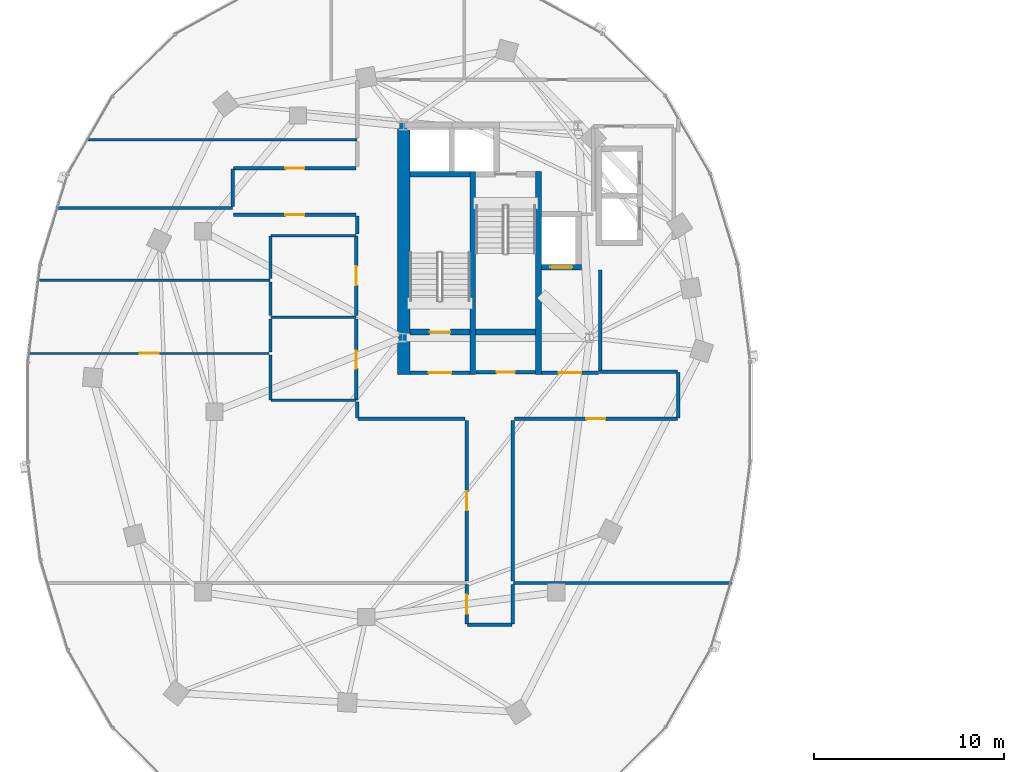
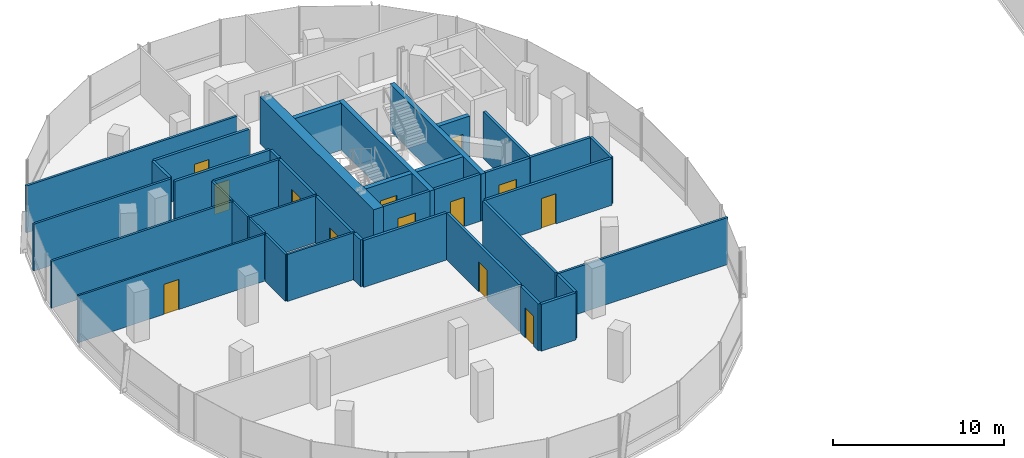
# One storey, part 12 of 22: 39 walls, 13 doors, 13 openings.
"""IFC4 building model written with IfcOpenShell, lengths in metres."""

from ifc_helpers import new_model, si_unit, direction, frame, frame_2d, origin, place, context, subcontext, project, spatial, rectangle, extrude, material, layer, layer_set, type_object, element, fill, save


model = new_model("IFC4")

# Units and contexts
model_context = context("Model", 3, precision=1e-05, world=origin(), true_north=direction((0.0, 1.0)))
body_context = subcontext(model_context, "Body", "Model", "MODEL_VIEW")
ifc_project = project(units=[si_unit("LENGTHUNIT", "METRE"), si_unit("AREAUNIT", "SQUARE_METRE"), si_unit("VOLUMEUNIT", "CUBIC_METRE"), si_unit("PLANEANGLEUNIT", "RADIAN"), si_unit("MASSUNIT", "GRAM", prefix="KILO"), si_unit("THERMODYNAMICTEMPERATUREUNIT", "KELVIN"), si_unit("POWERUNIT", "WATT")], contexts=[model_context])

# Site, building, storey
site_placement = place(None, origin())
site = spatial("IfcSite", under=ifc_project, at=site_placement, CompositionType="ELEMENT")
building_placement = place(site_placement, origin())
building = spatial("IfcBuilding", under=site, at=building_placement, Name="Cundina Bronze Exchange", CompositionType="ELEMENT")
storey_placement = place(building_placement, frame((0.0, 0.0, 154.800048828125)))
storey = spatial("IfcBuildingStorey", under=building, at=storey_placement, Name="L40", CompositionType="ELEMENT", Elevation=154.800048828125)

# Wall
ifc_material_1 = material(Name="Gypsum Fireboard Partition EI120")
ifc_layer_1 = layer(ifc_material_1, 0.179931640625, Name="Gypsum Fireboard Partition EI120")
ifc_layer_set_1 = layer_set([ifc_layer_1], Name="Gypsum Fireboard Partition EI120")
wall_type_1 = type_object("IfcWallType", Name="WL-COR-180", PredefinedType="PARTITIONING", material=ifc_layer_set_1)
wall_1_placement = place(storey_placement, frame((-20.889892578125, 2.14990234375, 0.0), z_axis=(0.0, 0.0, 1.0), x_axis=(0.0, 1.0, 0.0)))
element("IfcWall", 1, at=wall_1_placement, inside=storey, type_object=wall_type_1, Name="L40 W Firefighting Lobby Side Wall", PredefinedType="PARTITIONING", context=body_context, shape_type="SweptSolid", body=[
    extrude(rectangle(XDim=5.300048828125, YDim=0.179931640625, at=frame_2d((2.64990234375, 0.0))), origin(), (0.0, 0.0, 1.0), 3.35986328125),
])

# Wall, opening, door
wall_2_placement = place(storey_placement, frame((-23.97998046875, 2.06005859375, 0.0), z_axis=(0.0, 0.0, 1.0), x_axis=(1.0, 0.0, 0.0)))
wall_2 = element("IfcWall", 2, at=wall_2_placement, inside=storey, type_object=wall_type_1, Name="L40 W Firefighting Lobby Exit Wall", PredefinedType="PARTITIONING", context=body_context, shape_type="SweptSolid", body=[
    extrude(rectangle(XDim=3.0, YDim=0.179931640625, at=frame_2d((1.5, 0.0))), origin(), (0.0, 0.0, 1.0), 3.35986328125),
])
opening_1_placement = place(wall_2_placement, frame((0.89990234375, 0.0, 0.0)))
opening_1 = element("IfcOpeningElement", 3, at=opening_1_placement, cuts=wall_2, Name="Opening DF-01", PredefinedType="OPENING", context=body_context, shape_type="SweptSolid", body=[
    extrude(rectangle(XDim=1.199951171875, YDim=2.14990234375, at=frame_2d((0.60009765625, 1.074951171875))), frame((0.0, 0.099853515625, 0.0), z_axis=(0.0, -1.0, 0.0), x_axis=(1.0, 0.0, 0.0)), (0.0, 0.0, 1.0), 0.199951171875),
])
ifc_material_2 = material(Name="Steel ASTM A36 Painted", Category="steel")
door_type_1 = type_object("IfcDoorType", Name="DR-FFL-1200", OperationType="NOTDEFINED", PredefinedType="DOOR", material=ifc_material_2)
door_1_placement = place(opening_1_placement, origin())
door_1 = element("IfcDoor", 4, at=door_1_placement, inside=storey, type_object=door_type_1, Name="L40 W Firefighting Lobby Door", OperationType="SINGLE_SWING_RIGHT", OverallHeight=2.14990234375, OverallWidth=1.199951171875, PredefinedType="DOOR", context=body_context, shape_type="SweptSolid", body=[
    extrude(rectangle(XDim=1.199951171875, YDim=2.14990234375, at=frame_2d((0.60009765625, 1.074951171875))), frame((0.0, 0.02490234375, 0.0), z_axis=(0.0, -1.0, 0.0), x_axis=(1.0, 0.0, 0.0)), (0.0, 0.0, 1.0), 0.050048828125),
])
fill(opening_1, door_1)

wall_3_placement = place(storey_placement, frame((-30.89990234375, 2.06005859375, 0.0), z_axis=(0.0, 0.0, 1.0), x_axis=(1.0, 0.0, 0.0)))
wall_3 = element("IfcWall", 5, at=wall_3_placement, inside=storey, type_object=wall_type_1, Name="L40 W Stair Vestibule Exit Wall", PredefinedType="PARTITIONING", context=body_context, shape_type="SweptSolid", body=[
    extrude(rectangle(XDim=3.159912109375, YDim=0.179931640625, at=frame_2d((1.580078125, 0.0))), origin(), (0.0, 0.0, 1.0), 3.35986328125),
])
opening_2_placement = place(wall_3_placement, frame((0.97998046875, 0.0, 0.0)))
opening_2 = element("IfcOpeningElement", 6, at=opening_2_placement, cuts=wall_3, Name="Opening DF-01", PredefinedType="OPENING", context=body_context, shape_type="SweptSolid", body=[
    extrude(rectangle(XDim=1.199951171875, YDim=2.14990234375, at=frame_2d((0.60009765625, 1.074951171875))), frame((0.0, 0.099853515625, 0.0), z_axis=(0.0, -1.0, 0.0), x_axis=(1.0, 0.0, 0.0)), (0.0, 0.0, 1.0), 0.199951171875),
])
door_2_placement = place(opening_2_placement, origin())
door_2 = element("IfcDoor", 7, at=door_2_placement, inside=storey, type_object=door_type_1, Name="L40 W Stair Vestibule Door", OperationType="SINGLE_SWING_LEFT", OverallHeight=2.14990234375, OverallWidth=1.199951171875, PredefinedType="DOOR", context=body_context, shape_type="SweptSolid", body=[
    extrude(rectangle(XDim=1.199951171875, YDim=2.14990234375, at=frame_2d((0.60009765625, 1.074951171875))), frame((0.0, 0.02490234375, 0.0), z_axis=(0.0, -1.0, 0.0), x_axis=(1.0, 0.0, 0.0)), (0.0, 0.0, 1.0), 0.050048828125),
])
fill(opening_2, door_2)

wall_4_placement = place(storey_placement, frame((-27.419921875, 2.070068359375, 0.0), z_axis=(0.0, 0.0, 1.0), x_axis=(1.0, 0.0, 0.0)))
wall_4 = element("IfcWall", 8, at=wall_4_placement, inside=storey, type_object=wall_type_1, Name="L40 Interior Partition 006", PredefinedType="PARTITIONING", context=body_context, shape_type="SweptSolid", body=[
    extrude(rectangle(XDim=3.119873046875, YDim=0.179931640625, at=frame_2d((1.56005859375, 0.0))), origin(), (0.0, 0.0, 1.0), 3.35986328125),
])
opening_3_placement = place(wall_4_placement, frame((1.0849609375, 0.0, 0.0)))
opening_3 = element("IfcOpeningElement", 9, at=opening_3_placement, cuts=wall_4, Name="Opening DW-01", PredefinedType="OPENING", context=body_context, shape_type="SweptSolid", body=[
    extrude(rectangle(XDim=0.949951171875, YDim=2.10009765625, at=frame_2d((0.47509765625, 1.050048828125))), frame((0.0, 0.099853515625, 0.0), z_axis=(0.0, -1.0, 0.0), x_axis=(1.0, 0.0, 0.0)), (0.0, 0.0, 1.0), 0.199951171875),
])
ifc_material_3 = material(Name="Solid Andean Oak Timber Grade A", Category="wood")
door_type_2 = type_object("IfcDoorType", Name="DR-WC-950", OperationType="NOTDEFINED", PredefinedType="DOOR", material=ifc_material_3)
door_3_placement = place(opening_3_placement, origin())
door_3 = element("IfcDoor", 10, at=door_3_placement, inside=storey, type_object=door_type_2, Name="L40 Interior Door 006", OperationType="SINGLE_SWING_LEFT", OverallHeight=2.10009765625, OverallWidth=0.949951171875, PredefinedType="DOOR", context=body_context, shape_type="SweptSolid", body=[
    extrude(rectangle(XDim=0.949951171875, YDim=2.10009765625, at=frame_2d((0.47509765625, 1.050048828125))), frame((0.0, 0.02490234375, 0.0), z_axis=(0.0, -1.0, 0.0), x_axis=(1.0, 0.0, 0.0)), (0.0, 0.0, 1.0), 0.050048828125),
])
fill(opening_3, door_3)

wall_5_placement = place(storey_placement, frame((-33.719970703125, 0.6201171875, 0.0), z_axis=(0.0, 0.0, 1.0), x_axis=(0.0, 1.0, 0.0)))
wall_5 = element("IfcWall", 11, at=wall_5_placement, inside=storey, type_object=wall_type_1, Name="L40 Interior Partition 014", PredefinedType="PARTITIONING", context=body_context, shape_type="SweptSolid", body=[
    extrude(rectangle(XDim=4.259765625, YDim=0.179931640625, at=frame_2d((2.1298828125, 0.0))), origin(), (0.0, 0.0, 1.0), 3.35986328125),
])
opening_4_placement = place(wall_5_placement, frame((1.655029296875, 0.0, 0.0)))
opening_4 = element("IfcOpeningElement", 12, at=opening_4_placement, cuts=wall_5, Name="Opening DW-01", PredefinedType="OPENING", context=body_context, shape_type="SweptSolid", body=[
    extrude(rectangle(XDim=0.949951171875, YDim=2.10009765625, at=frame_2d((0.47509765625, 1.050048828125))), frame((0.0, 0.099853515625, 0.0), z_axis=(0.0, -1.0, 0.0), x_axis=(1.0, 0.0, 0.0)), (0.0, 0.0, 1.0), 0.199951171875),
])
door_4_placement = place(opening_4_placement, origin())
door_4 = element("IfcDoor", 13, at=door_4_placement, inside=storey, type_object=door_type_2, Name="L40 Interior Door 014", OperationType="SINGLE_SWING_LEFT", OverallHeight=2.10009765625, OverallWidth=0.949951171875, PredefinedType="DOOR", context=body_context, shape_type="SweptSolid", body=[
    extrude(rectangle(XDim=0.949951171875, YDim=2.10009765625, at=frame_2d((0.47509765625, 1.050048828125))), frame((0.0, 0.02490234375, 0.0), z_axis=(0.0, -1.0, 0.0), x_axis=(1.0, 0.0, 0.0)), (0.0, 0.0, 1.0), 0.050048828125),
])
fill(opening_4, door_4)

wall_6_placement = place(storey_placement, frame((-33.719970703125, 5.080078125, 0.0), z_axis=(0.0, 0.0, 1.0), x_axis=(0.0, 1.0, 0.0)))
wall_6 = element("IfcWall", 14, at=wall_6_placement, inside=storey, type_object=wall_type_1, Name="L40 Interior Partition 015", PredefinedType="PARTITIONING", context=body_context, shape_type="SweptSolid", body=[
    extrude(rectangle(XDim=4.159912109375, YDim=0.179931640625, at=frame_2d((2.080078125, 0.0))), origin(), (0.0, 0.0, 1.0), 3.35986328125),
])
opening_5_placement = place(wall_6_placement, frame((1.580078125, 0.0, 0.0)))
opening_5 = element("IfcOpeningElement", 15, at=opening_5_placement, cuts=wall_6, Name="Opening DO-01", PredefinedType="OPENING", context=body_context, shape_type="SweptSolid", body=[
    extrude(rectangle(XDim=1.0, YDim=2.14990234375, at=frame_2d((0.5, 1.074951171875))), frame((0.0, 0.099853515625, 0.0), z_axis=(0.0, -1.0, 0.0), x_axis=(1.0, 0.0, 0.0)), (0.0, 0.0, 1.0), 0.199951171875),
])
door_type_3 = type_object("IfcDoorType", Name="DR-OFF-1000", OperationType="NOTDEFINED", PredefinedType="DOOR", material=ifc_material_3)
door_5_placement = place(opening_5_placement, origin())
door_5 = element("IfcDoor", 16, at=door_5_placement, inside=storey, type_object=door_type_3, Name="L40 Interior Door 015", OperationType="SINGLE_SWING_LEFT", OverallHeight=2.14990234375, OverallWidth=1.0, PredefinedType="DOOR", context=body_context, shape_type="SweptSolid", body=[
    extrude(rectangle(XDim=1.0, YDim=2.14990234375, at=frame_2d((0.5, 1.074951171875))), frame((0.0, 0.02490234375, 0.0), z_axis=(0.0, -1.0, 0.0), x_axis=(1.0, 0.0, 0.0)), (0.0, 0.0, 1.0), 0.050048828125),
])
fill(opening_5, door_5)

# Wall
wall_7_placement = place(storey_placement, frame((-27.87841796875, -11.219970703125, 0.0), z_axis=(0.0, 0.0, 1.0), x_axis=(1.0, 0.0, 0.0)))
element("IfcWall", 17, at=wall_7_placement, inside=storey, type_object=wall_type_1, Name="L40 Interior Partition 023", PredefinedType="PARTITIONING", context=body_context, shape_type="SweptSolid", body=[
    extrude(rectangle(XDim=2.35693359375, YDim=0.179931640625, at=frame_2d((1.178466796875, 0.0))), origin(), (0.0, 0.0, 1.0), 3.35986328125),
])

# Wall, opening, door
wall_8_placement = place(storey_placement, frame((-27.919921875, -9.10009765625, 0.0), z_axis=(0.0, 0.0, 1.0), x_axis=(0.0, -1.0, 0.0)))
wall_8 = element("IfcWall", 18, at=wall_8_placement, inside=storey, type_object=wall_type_1, Name="L40 Interior Partition 024", PredefinedType="PARTITIONING", context=body_context, shape_type="SweptSolid", body=[
    extrude(rectangle(XDim=2.078369140625, YDim=0.179931640625, at=frame_2d((1.0390625, 0.0))), origin(), (0.0, 0.0, 1.0), 3.35986328125),
])
opening_6_placement = place(wall_8_placement, frame((0.539306640625, 0.0, 0.0)))
opening_6 = element("IfcOpeningElement", 19, at=opening_6_placement, cuts=wall_8, Name="Opening DO-01", PredefinedType="OPENING", context=body_context, shape_type="SweptSolid", body=[
    extrude(rectangle(XDim=1.0, YDim=2.14990234375, at=frame_2d((0.5, 1.074951171875))), frame((0.0, 0.099853515625, 0.0), z_axis=(0.0, -1.0, 0.0), x_axis=(1.0, 0.0, 0.0)), (0.0, 0.0, 1.0), 0.199951171875),
])
door_6_placement = place(opening_6_placement, origin())
door_6 = element("IfcDoor", 20, at=door_6_placement, inside=storey, type_object=door_type_3, Name="L40 Interior Door 024", OperationType="SINGLE_SWING_LEFT", OverallHeight=2.14990234375, OverallWidth=1.0, PredefinedType="DOOR", context=body_context, shape_type="SweptSolid", body=[
    extrude(rectangle(XDim=1.0, YDim=2.14990234375, at=frame_2d((0.5, 1.074951171875))), frame((0.0, 0.02490234375, 0.0), z_axis=(0.0, -1.0, 0.0), x_axis=(1.0, 0.0, 0.0)), (0.0, 0.0, 1.0), 0.050048828125),
])
fill(opening_6, door_6)

# Wall
wall_9_placement = place(storey_placement, frame((-25.47998046875, -11.178466796875, 0.0), z_axis=(0.0, 0.0, 1.0), x_axis=(0.0, 1.0, 0.0)))
element("IfcWall", 21, at=wall_9_placement, inside=storey, type_object=wall_type_1, Name="L40 Interior Partition 025", PredefinedType="PARTITIONING", context=body_context, shape_type="SweptSolid", body=[
    extrude(rectangle(XDim=2.078369140625, YDim=0.179931640625, at=frame_2d((1.0390625, 0.0))), origin(), (0.0, 0.0, 1.0), 3.35986328125),
])

# Wall, opening, door
wall_10_placement = place(storey_placement, frame((-27.919921875, -0.449951171875, 0.0), z_axis=(0.0, 0.0, 1.0), x_axis=(0.0, -1.0, 0.0)))
wall_10 = element("IfcWall", 22, at=wall_10_placement, inside=storey, type_object=wall_type_1, Name="L40 Interior Partition 026", PredefinedType="PARTITIONING", context=body_context, shape_type="SweptSolid", body=[
    extrude(rectangle(XDim=8.469970703125, YDim=0.179931640625, at=frame_2d((4.23486328125, 0.0))), origin(), (0.0, 0.0, 1.0), 3.35986328125),
])
opening_7_placement = place(wall_10_placement, frame((3.735107421875, 0.0, 0.0)))
opening_7 = element("IfcOpeningElement", 23, at=opening_7_placement, cuts=wall_10, Name="Opening DO-01", PredefinedType="OPENING", context=body_context, shape_type="SweptSolid", body=[
    extrude(rectangle(XDim=1.0, YDim=2.14990234375, at=frame_2d((0.5, 1.074951171875))), frame((0.0, 0.099853515625, 0.0), z_axis=(0.0, -1.0, 0.0), x_axis=(1.0, 0.0, 0.0)), (0.0, 0.0, 1.0), 0.199951171875),
])
door_7_placement = place(opening_7_placement, origin())
door_7 = element("IfcDoor", 24, at=door_7_placement, inside=storey, type_object=door_type_3, Name="L40 Interior Door 026", OperationType="SINGLE_SWING_LEFT", OverallHeight=2.14990234375, OverallWidth=1.0, PredefinedType="DOOR", context=body_context, shape_type="SweptSolid", body=[
    extrude(rectangle(XDim=1.0, YDim=2.14990234375, at=frame_2d((0.5, 1.074951171875))), frame((0.0, 0.02490234375, 0.0), z_axis=(0.0, -1.0, 0.0), x_axis=(1.0, 0.0, 0.0)), (0.0, 0.0, 1.0), 0.050048828125),
])
fill(opening_7, door_7)

# Walls
wall_11_placement = place(storey_placement, frame((-33.62841796875, -0.3701171875, 0.0), z_axis=(0.0, 0.0, 1.0), x_axis=(1.0, 0.0, 0.0)))
element("IfcWall", 25, at=wall_11_placement, inside=storey, type_object=wall_type_1, Name="L40 Interior Partition 027", PredefinedType="PARTITIONING", context=body_context, shape_type="SweptSolid", body=[
    extrude(rectangle(XDim=5.62841796875, YDim=0.179931640625, at=frame_2d((2.814208984375, 0.0))), origin(), (0.0, 0.0, 1.0), 3.35986328125),
])
wall_12_placement = place(storey_placement, frame((-33.669921875, 0.508544921875, 0.0), z_axis=(0.0, 0.0, 1.0), x_axis=(0.0, -1.0, 0.0)))
element("IfcWall", 26, at=wall_12_placement, inside=storey, type_object=wall_type_1, Name="L40 Interior Partition 028", PredefinedType="PARTITIONING", context=body_context, shape_type="SweptSolid", body=[
    extrude(rectangle(XDim=0.837158203125, YDim=0.179931640625, at=frame_2d((0.41845703125, 0.0))), origin(), (0.0, 0.0, 1.0), 3.35986328125),
])

# Wall, opening, door
wall_13_placement = place(storey_placement, frame((-25.39990234375, -0.3701171875, 0.0), z_axis=(0.0, 0.0, 1.0), x_axis=(1.0, 0.0, 0.0)))
wall_13 = element("IfcWall", 27, at=wall_13_placement, inside=storey, type_object=wall_type_1, Name="L40 Interior Partition 029", PredefinedType="PARTITIONING", context=body_context, shape_type="SweptSolid", body=[
    extrude(rectangle(XDim=8.578369140625, YDim=0.179931640625, at=frame_2d((4.2890625, 0.0))), origin(), (0.0, 0.0, 1.0), 3.35986328125),
])
opening_8_placement = place(wall_13_placement, frame((3.789306640625, 0.0, 0.0)))
opening_8 = element("IfcOpeningElement", 28, at=opening_8_placement, cuts=wall_13, Name="Opening DO-01", PredefinedType="OPENING", context=body_context, shape_type="SweptSolid", body=[
    extrude(rectangle(XDim=1.0, YDim=2.14990234375, at=frame_2d((0.5, 1.074951171875))), frame((0.0, 0.099853515625, 0.0), z_axis=(0.0, -1.0, 0.0), x_axis=(1.0, 0.0, 0.0)), (0.0, 0.0, 1.0), 0.199951171875),
])
door_8_placement = place(opening_8_placement, origin())
door_8 = element("IfcDoor", 29, at=door_8_placement, inside=storey, type_object=door_type_3, Name="L40 Interior Door 029", OperationType="SINGLE_SWING_LEFT", OverallHeight=2.14990234375, OverallWidth=1.0, PredefinedType="DOOR", context=body_context, shape_type="SweptSolid", body=[
    extrude(rectangle(XDim=1.0, YDim=2.14990234375, at=frame_2d((0.5, 1.074951171875))), frame((0.0, 0.02490234375, 0.0), z_axis=(0.0, -1.0, 0.0), x_axis=(1.0, 0.0, 0.0)), (0.0, 0.0, 1.0), 0.050048828125),
])
fill(opening_8, door_8)

# Walls
wall_14_placement = place(storey_placement, frame((-25.47998046875, -8.919921875, 0.0), z_axis=(0.0, 0.0, 1.0), x_axis=(0.0, 1.0, 0.0)))
element("IfcWall", 30, at=wall_14_placement, inside=storey, type_object=wall_type_1, Name="L40 Interior Partition 030", PredefinedType="PARTITIONING", context=body_context, shape_type="SweptSolid", body=[
    extrude(rectangle(XDim=8.469970703125, YDim=0.179931640625, at=frame_2d((4.23486328125, 0.0))), origin(), (0.0, 0.0, 1.0), 3.35986328125),
])
wall_15_placement = place(storey_placement, frame((-16.821533203125, 2.10009765625, 0.0), z_axis=(0.0, 0.0, 1.0), x_axis=(-1.0, 0.0, 0.0)))
element("IfcWall", 31, at=wall_15_placement, inside=storey, type_object=wall_type_1, Name="L40 Interior Partition 031", PredefinedType="PARTITIONING", context=body_context, shape_type="SweptSolid", body=[
    extrude(rectangle(XDim=4.098388671875, YDim=0.179931640625, at=frame_2d((2.04931640625, 0.0))), origin(), (0.0, 0.0, 1.0), 3.35986328125),
])
wall_16_placement = place(storey_placement, frame((-16.780029296875, -0.32861328125, 0.0), z_axis=(0.0, 0.0, 1.0), x_axis=(0.0, 1.0, 0.0)))
element("IfcWall", 32, at=wall_16_placement, inside=storey, type_object=wall_type_1, Name="L40 Interior Partition 032", PredefinedType="PARTITIONING", context=body_context, shape_type="SweptSolid", body=[
    extrude(rectangle(XDim=2.38720703125, YDim=0.179931640625, at=frame_2d((1.193603515625, 0.0))), origin(), (0.0, 0.0, 1.0), 3.35986328125),
])

# Wall, opening, door
wall_17_placement = place(storey_placement, frame((-40.178466796875, 10.3798828125, 0.0), z_axis=(0.0, 0.0, 1.0), x_axis=(1.0, 0.0, 0.0)))
wall_17 = element("IfcWall", 33, at=wall_17_placement, inside=storey, type_object=wall_type_1, Name="L40 Interior Partition 034", PredefinedType="PARTITIONING", context=body_context, shape_type="SweptSolid", body=[
    extrude(rectangle(XDim=6.428466796875, YDim=0.179931640625, at=frame_2d((3.21435546875, 0.0))), origin(), (0.0, 0.0, 1.0), 3.35986328125),
])
opening_9_placement = place(wall_17_placement, frame((2.714111328125, 0.0, 0.0)))
opening_9 = element("IfcOpeningElement", 34, at=opening_9_placement, cuts=wall_17, Name="Opening DO-01", PredefinedType="OPENING", context=body_context, shape_type="SweptSolid", body=[
    extrude(rectangle(XDim=1.0, YDim=2.14990234375, at=frame_2d((0.5, 1.074951171875))), frame((0.0, 0.099853515625, 0.0), z_axis=(0.0, -1.0, 0.0), x_axis=(1.0, 0.0, 0.0)), (0.0, 0.0, 1.0), 0.199951171875),
])
door_9_placement = place(opening_9_placement, origin())
door_9 = element("IfcDoor", 35, at=door_9_placement, inside=storey, type_object=door_type_3, Name="L40 Interior Door 034", OperationType="SINGLE_SWING_LEFT", OverallHeight=2.14990234375, OverallWidth=1.0, PredefinedType="DOOR", context=body_context, shape_type="SweptSolid", body=[
    extrude(rectangle(XDim=1.0, YDim=2.14990234375, at=frame_2d((0.5, 1.074951171875))), frame((0.0, 0.02490234375, 0.0), z_axis=(0.0, -1.0, 0.0), x_axis=(1.0, 0.0, 0.0)), (0.0, 0.0, 1.0), 0.050048828125),
])
fill(opening_9, door_9)

# Wall
wall_18_placement = place(storey_placement, frame((-33.669921875, 10.300048828125, 0.0), z_axis=(0.0, 0.0, 1.0), x_axis=(0.0, -1.0, 0.0)))
element("IfcWall", 36, at=wall_18_placement, inside=storey, type_object=wall_type_1, Name="L40 Interior Partition 035", PredefinedType="PARTITIONING", context=body_context, shape_type="SweptSolid", body=[
    extrude(rectangle(XDim=0.94873046875, YDim=0.179931640625, at=frame_2d((0.474365234375, 0.0))), origin(), (0.0, 0.0, 1.0), 3.35986328125),
])

# Wall, opening, door
wall_19_placement = place(storey_placement, frame((-33.75, 12.820068359375, 0.0), z_axis=(0.0, 0.0, 1.0), x_axis=(-1.0, 0.0, 0.0)))
wall_19 = element("IfcWall", 37, at=wall_19_placement, inside=storey, type_object=wall_type_1, Name="L40 Interior Partition 036", PredefinedType="PARTITIONING", context=body_context, shape_type="SweptSolid", body=[
    extrude(rectangle(XDim=6.428466796875, YDim=0.179931640625, at=frame_2d((3.21435546875, 0.0))), origin(), (0.0, 0.0, 1.0), 3.35986328125),
])
opening_10_placement = place(wall_19_placement, frame((2.714111328125, 0.0, 0.0)))
opening_10 = element("IfcOpeningElement", 38, at=opening_10_placement, cuts=wall_19, Name="Opening DO-01", PredefinedType="OPENING", context=body_context, shape_type="SweptSolid", body=[
    extrude(rectangle(XDim=1.0, YDim=2.14990234375, at=frame_2d((0.5, 1.074951171875))), frame((0.0, 0.099853515625, 0.0), z_axis=(0.0, -1.0, 0.0), x_axis=(1.0, 0.0, 0.0)), (0.0, 0.0, 1.0), 0.199951171875),
])
door_10_placement = place(opening_10_placement, origin())
door_10 = element("IfcDoor", 39, at=door_10_placement, inside=storey, type_object=door_type_3, Name="L40 Interior Door 036", OperationType="SINGLE_SWING_RIGHT", OverallHeight=2.14990234375, OverallWidth=1.0, PredefinedType="DOOR", context=body_context, shape_type="SweptSolid", body=[
    extrude(rectangle(XDim=1.0, YDim=2.14990234375, at=frame_2d((0.5, 1.074951171875))), frame((0.0, 0.02490234375, 0.0), z_axis=(0.0, -1.0, 0.0), x_axis=(1.0, 0.0, 0.0)), (0.0, 0.0, 1.0), 0.050048828125),
])
fill(opening_10, door_10)

# Walls
wall_20_placement = place(storey_placement, frame((-40.219970703125, 12.778564453125, 0.0), z_axis=(0.0, 0.0, 1.0), x_axis=(0.0, -1.0, 0.0)))
element("IfcWall", 40, at=wall_20_placement, inside=storey, type_object=wall_type_1, Name="L40 Interior Partition 037", PredefinedType="PARTITIONING", context=body_context, shape_type="SweptSolid", body=[
    extrude(rectangle(XDim=1.968505859375, YDim=0.179931640625, at=frame_2d((0.984375, 0.0))), origin(), (0.0, 0.0, 1.0), 3.35986328125),
])
ifc_material_4 = material(Name="Concrete C50/60", Category="concrete")
ifc_layer_2 = layer(ifc_material_4, 0.64990234375, Name="Concrete C50/60", Category="concrete")
ifc_layer_set_2 = layer_set([ifc_layer_2], Name="Concrete C50/60")
wall_type_2 = type_object("IfcWallType", Name="WL-CORE-650", PredefinedType="SHEAR", material=ifc_layer_set_2)
wall_21_placement = place(storey_placement, frame((-31.22509765625, 1.969970703125, 0.0), z_axis=(0.0, 0.0, 1.0), x_axis=(0.0, 1.0, 0.0)))
element("IfcWall", 41, at=wall_21_placement, inside=storey, type_object=wall_type_2, Name="L40 W Primary Core Shear Spine Wall", PredefinedType="SHEAR", context=body_context, shape_type="SweptSolid", body=[
    extrude(rectangle(XDim=13.330078125, YDim=0.64990234375, at=frame_2d((6.6650390625, 0.0))), origin(), (0.0, 0.0, 1.0), 3.35986328125),
])

# Wall, opening, door
ifc_material_5 = material(Name="Gypsum Acoustic Partition EI60")
ifc_layer_3 = layer(ifc_material_5, 0.125, Name="Gypsum Acoustic Partition EI60")
ifc_layer_set_3 = layer_set([ifc_layer_3], Name="Gypsum Acoustic Partition EI60")
wall_type_3 = type_object("IfcWallType", Name="WL-OFF-125", PredefinedType="PARTITIONING", material=ifc_layer_set_3)
wall_22_placement = place(storey_placement, frame((-38.320068359375, 3.070068359375, 0.0), z_axis=(0.0, 0.0, 1.0), x_axis=(-1.0, 0.0, 0.0)))
wall_22 = element("IfcWall", 42, at=wall_22_placement, inside=storey, type_object=wall_type_3, Name="L40 Interior Partition 042", PredefinedType="PARTITIONING", context=body_context, shape_type="SweptSolid", body=[
    extrude(rectangle(XDim=12.63134765625, YDim=0.125, at=frame_2d((6.315673828125, 0.0))), origin(), (0.0, 0.0, 1.0), 3.35986328125),
])
opening_11_placement = place(wall_22_placement, frame((5.81591796875, 0.0, 0.0)))
opening_11 = element("IfcOpeningElement", 43, at=opening_11_placement, cuts=wall_22, Name="Opening DO-01", PredefinedType="OPENING", context=body_context, shape_type="SweptSolid", body=[
    extrude(rectangle(XDim=1.0, YDim=2.14990234375, at=frame_2d((0.5, 1.074951171875))), frame((0.0, 0.072509765625, 0.0), z_axis=(0.0, -1.0, 0.0), x_axis=(1.0, 0.0, 0.0)), (0.0, 0.0, 1.0), 0.14501953125),
])
door_11_placement = place(opening_11_placement, origin())
door_11 = element("IfcDoor", 44, at=door_11_placement, inside=storey, type_object=door_type_3, Name="L40 Interior Door 042", OperationType="SINGLE_SWING_RIGHT", OverallHeight=2.14990234375, OverallWidth=1.0, PredefinedType="DOOR", context=body_context, shape_type="SweptSolid", body=[
    extrude(rectangle(XDim=1.0, YDim=2.14990234375, at=frame_2d((0.5, 1.074951171875))), frame((0.0, 0.02490234375, 0.0), z_axis=(0.0, -1.0, 0.0), x_axis=(1.0, 0.0, 0.0)), (0.0, 0.0, 1.0), 0.050048828125),
])
fill(opening_11, door_11)

# Walls
ifc_layer_4 = layer(ifc_material_4, 0.300048828125, Name="Concrete C50/60", Category="concrete")
ifc_layer_set_4 = layer_set([ifc_layer_4], Name="Concrete C50/60")
wall_type_4 = type_object("IfcWallType", Name="WL-SHFT-300", PredefinedType="SHEAR", material=ifc_layer_set_4)
for number, where, z_axis, x_axis, name in (
    (45, (-27.590087890625, 1.969970703125, 0.0), (0.0, 0.0, 1.0), (0.0, 1.0, 0.0), "L40 W Stair Shaft Dividing Shear Wall"),
    (46, (-24.1298828125, 1.969970703125, 0.0), (0.0, 0.0, 1.0), (0.0, 1.0, 0.0), "L40 W Stair 2 East Shear Wall"),
):
    element("IfcWall", number, at=place(storey_placement, frame(where, z_axis=z_axis, x_axis=x_axis)), inside=storey, type_object=wall_type_4, Name=name, PredefinedType="SHEAR", context=body_context, shape_type="SweptSolid", body=[
        extrude(rectangle(XDim=10.679931640625, YDim=0.300048828125, at=frame_2d((5.33984375, 0.0))), origin(), (0.0, 0.0, 1.0), 3.35986328125),
    ])

# Wall, opening, door
wall_23_placement = place(storey_placement, frame((-30.89990234375, 4.199951171875, 0.0), z_axis=(0.0, 0.0, 1.0), x_axis=(1.0, 0.0, 0.0)))
wall_23 = element("IfcWall", 47, at=wall_23_placement, inside=storey, type_object=wall_type_4, Name="L40 Stair W1 Landing Wall", PredefinedType="SHEAR", context=body_context, shape_type="SweptSolid", body=[
    extrude(rectangle(XDim=3.159912109375, YDim=0.300048828125, at=frame_2d((1.580078125, 0.0))), origin(), (0.0, 0.0, 1.0), 3.35986328125),
])
opening_12_placement = place(wall_23_placement, frame((1.030029296875, 0.0, 0.0)))
opening_12 = element("IfcOpeningElement", 48, at=opening_12_placement, cuts=wall_23, Name="Opening DS-01", PredefinedType="OPENING", context=body_context, shape_type="SweptSolid", body=[
    extrude(rectangle(XDim=1.10009765625, YDim=2.14990234375, at=frame_2d((0.550048828125, 1.074951171875))), frame((0.0, 0.159912109375, 0.0), z_axis=(0.0, -1.0, 0.0), x_axis=(1.0, 0.0, 0.0)), (0.0, 0.0, 1.0), 0.320068359375),
])
door_type_4 = type_object("IfcDoorType", Name="DR-STR-1100", OperationType="NOTDEFINED", PredefinedType="DOOR", material=ifc_material_2)
door_12_placement = place(opening_12_placement, origin())
door_12 = element("IfcDoor", 49, at=door_12_placement, inside=storey, type_object=door_type_4, Name="L40 Smokeproof Stair W1 Door", OperationType="SINGLE_SWING_RIGHT", OverallHeight=2.14990234375, OverallWidth=1.10009765625, PredefinedType="DOOR", context=body_context, shape_type="SweptSolid", body=[
    extrude(rectangle(XDim=1.10009765625, YDim=2.14990234375, at=frame_2d((0.550048828125, 1.074951171875))), frame((0.0, 0.02490234375, 0.0), z_axis=(0.0, -1.0, 0.0), x_axis=(1.0, 0.0, 0.0)), (0.0, 0.0, 1.0), 0.050048828125),
])
fill(opening_12, door_12)

# Walls
for number, where, z_axis, x_axis, name in (
    (50, (-30.89990234375, 12.5, 0.0), (0.0, 0.0, 1.0), (1.0, 0.0, 0.0), "L40 Stair W1 Far Shaft Wall"),
    (51, (-27.43994140625, 4.199951171875, 0.0), (0.0, 0.0, 1.0), (1.0, 0.0, 0.0), "L40 Stair W2 Far Shaft Wall"),
):
    element("IfcWall", number, at=place(storey_placement, frame(where, z_axis=z_axis, x_axis=x_axis)), inside=storey, type_object=wall_type_4, Name=name, PredefinedType="SHEAR", context=body_context, shape_type="SweptSolid", body=[
        extrude(rectangle(XDim=3.159912109375, YDim=0.300048828125, at=frame_2d((1.580078125, 0.0))), origin(), (0.0, 0.0, 1.0), 3.35986328125),
    ])

# Wall, opening, door
wall_24_placement = place(storey_placement, frame((-23.97998046875, 7.60009765625, 0.0), z_axis=(0.0, 0.0, 1.0), x_axis=(1.0, 0.0, 0.0)))
wall_24 = element("IfcWall", 52, at=wall_24_placement, inside=storey, type_object=wall_type_4, Name="L40 FFL-W Hoistway Front Wall", PredefinedType="SHEAR", context=body_context, shape_type="SweptSolid", body=[
    extrude(rectangle(XDim=2.10009765625, YDim=0.300048828125, at=frame_2d((1.050048828125, 0.0))), origin(), (0.0, 0.0, 1.0), 3.35986328125),
])
opening_13_placement = place(wall_24_placement, frame((0.47509765625, 0.0, 0.0)))
opening_13 = element("IfcOpeningElement", 53, at=opening_13_placement, cuts=wall_24, Name="Opening LD-01", PredefinedType="OPENING", context=body_context, shape_type="SweptSolid", body=[
    extrude(rectangle(XDim=1.14990234375, YDim=2.199951171875, at=frame_2d((0.574951171875, 1.10009765625))), frame((0.0, 0.159912109375, 0.0), z_axis=(0.0, -1.0, 0.0), x_axis=(1.0, 0.0, 0.0)), (0.0, 0.0, 1.0), 0.320068359375),
])
door_type_5 = type_object("IfcDoorType", Name="DR-LND-1150", OperationType="NOTDEFINED", PredefinedType="TRAPDOOR", material=ifc_material_2)
door_13_placement = place(opening_13_placement, origin())
door_13 = element("IfcDoor", 54, at=door_13_placement, inside=storey, type_object=door_type_5, Name="L40 FFL-W Sliding Landing Door", OperationType="SLIDING_TO_LEFT", OverallHeight=2.199951171875, OverallWidth=1.14990234375, PredefinedType="TRAPDOOR", context=body_context, shape_type="SweptSolid", body=[
    extrude(rectangle(XDim=1.14990234375, YDim=2.199951171875, at=frame_2d((0.574951171875, 1.10009765625))), frame((0.0, 0.02490234375, 0.0), z_axis=(0.0, -1.0, 0.0), x_axis=(1.0, 0.0, 0.0)), (0.0, 0.0, 1.0), 0.050048828125),
])
fill(opening_13, door_13)

# Walls
ifc_layer_5 = layer(ifc_material_5, 0.14990234375, Name="Gypsum Acoustic Partition EI60")
ifc_layer_set_5 = layer_set([ifc_layer_5], Name="Gypsum Acoustic Partition EI60")
wall_type_5 = type_object("IfcWallType", Name="WL-TEN-150", PredefinedType="PARTITIONING", material=ifc_layer_set_5)
wall_25_placement = place(storey_placement, frame((-25.449951171875, -9.010009765625, 0.0), z_axis=(0.0, 0.0, 1.0), x_axis=(1.0, 0.0, 0.0)))
element("IfcWall", 55, at=wall_25_placement, inside=storey, type_object=wall_type_5, Name="L40 Interior Partition 017", PredefinedType="PARTITIONING", context=body_context, shape_type="SweptSolid", body=[
    extrude(rectangle(XDim=11.495361328125, YDim=0.14990234375, at=frame_2d((5.74755859375, 0.0))), origin(), (0.0, 0.0, 1.0), 3.35986328125),
])
wall_26_placement = place(storey_placement, frame((-50.5263671875, 6.919921875, 0.0), z_axis=(0.0, 0.0, 1.0), x_axis=(1.0, 0.0, 0.0)))
element("IfcWall", 56, at=wall_26_placement, inside=storey, type_object=wall_type_5, Name="L40 Interior Partition 018", PredefinedType="PARTITIONING", context=body_context, shape_type="SweptSolid", body=[
    extrude(rectangle(XDim=12.25634765625, YDim=0.14990234375, at=frame_2d((6.128173828125, 0.0))), origin(), (0.0, 0.0, 1.0), 3.35986328125),
])
wall_27_placement = place(storey_placement, frame((-49.527099609375, 10.719970703125, 0.0), z_axis=(0.0, 0.0, 1.0), x_axis=(1.0, 0.0, 0.0)))
element("IfcWall", 57, at=wall_27_placement, inside=storey, type_object=wall_type_5, Name="L40 Interior Partition 019", PredefinedType="PARTITIONING", context=body_context, shape_type="SweptSolid", body=[
    extrude(rectangle(XDim=9.277099609375, YDim=0.14990234375, at=frame_2d((4.638671875, 0.0))), origin(), (0.0, 0.0, 1.0), 3.35986328125),
])
wall_28_placement = place(storey_placement, frame((-47.953125, 14.320068359375, 0.0), z_axis=(0.0, 0.0, 1.0), x_axis=(1.0, 0.0, 0.0)))
element("IfcWall", 58, at=wall_28_placement, inside=storey, type_object=wall_type_5, Name="L40 Interior Partition 020", PredefinedType="PARTITIONING", context=body_context, shape_type="SweptSolid", body=[
    extrude(rectangle(XDim=14.253173828125, YDim=0.14990234375, at=frame_2d((7.12646484375, 0.0))), origin(), (0.0, 0.0, 1.0), 3.35986328125),
])
ifc_material_6 = material(Name="Moisture-Resistant Masonry Block Grade M15", Category="masonry")
ifc_layer_6 = layer(ifc_material_6, 0.139892578125, Name="Moisture-Resistant Masonry Block Grade M15", Category="masonry")
ifc_layer_set_6 = layer_set([ifc_layer_6], Name="Moisture-Resistant Masonry Block Grade M15")
wall_type_6 = type_object("IfcWallType", Name="WL-WET-140", PredefinedType="PARTITIONING", material=ifc_layer_set_6)
wall_29_placement = place(storey_placement, frame((-38.239990234375, 0.6201171875, 0.0), z_axis=(0.0, 0.0, 1.0), x_axis=(0.0, 1.0, 0.0)))
element("IfcWall", 59, at=wall_29_placement, inside=storey, type_object=wall_type_6, Name="L40 Interior Partition 007", PredefinedType="PARTITIONING", context=body_context, shape_type="SweptSolid", body=[
    extrude(rectangle(XDim=2.364990234375, YDim=0.139892578125, at=frame_2d((1.1826171875, 0.0))), origin(), (0.0, 0.0, 1.0), 3.35986328125),
])
wall_30_placement = place(storey_placement, frame((-38.239990234375, 3.155029296875, 0.0), z_axis=(0.0, 0.0, 1.0), x_axis=(0.0, 1.0, 0.0)))
element("IfcWall", 60, at=wall_30_placement, inside=storey, type_object=wall_type_6, Name="L40 Interior Partition 008", PredefinedType="PARTITIONING", context=body_context, shape_type="SweptSolid", body=[
    extrude(rectangle(XDim=1.739990234375, YDim=0.139892578125, at=frame_2d((0.8701171875, 0.0))), origin(), (0.0, 0.0, 1.0), 3.35986328125),
])
wall_31_placement = place(storey_placement, frame((-38.239990234375, 5.06494140625, 0.0), z_axis=(0.0, 0.0, 1.0), x_axis=(0.0, 1.0, 0.0)))
element("IfcWall", 61, at=wall_31_placement, inside=storey, type_object=wall_type_6, Name="L40 Interior Partition 009", PredefinedType="PARTITIONING", context=body_context, shape_type="SweptSolid", body=[
    extrude(rectangle(XDim=1.77001953125, YDim=0.139892578125, at=frame_2d((0.885009765625, 0.0))), origin(), (0.0, 0.0, 1.0), 3.35986328125),
])
wall_32_placement = place(storey_placement, frame((-38.239990234375, 7.0048828125, 0.0), z_axis=(0.0, 0.0, 1.0), x_axis=(0.0, 1.0, 0.0)))
element("IfcWall", 62, at=wall_32_placement, inside=storey, type_object=wall_type_6, Name="L40 Interior Partition 010", PredefinedType="PARTITIONING", context=body_context, shape_type="SweptSolid", body=[
    extrude(rectangle(XDim=2.235107421875, YDim=0.139892578125, at=frame_2d((1.11767578125, 0.0))), origin(), (0.0, 0.0, 1.0), 3.35986328125),
])
for number, where, z_axis, x_axis, name in (
    (63, (-38.219970703125, 0.60009765625, 0.0), (0.0, 0.0, 1.0), (1.0, 0.0, 0.0), "L40 Interior Partition 011"),
    (64, (-38.219970703125, 4.97998046875, 0.0), (0.0, 0.0, 1.0), (1.0, 0.0, 0.0), "L40 Interior Partition 012"),
    (65, (-38.219970703125, 9.260009765625, 0.0), (0.0, 0.0, 1.0), (1.0, 0.0, 0.0), "L40 Interior Partition 013"),
):
    element("IfcWall", number, at=place(storey_placement, frame(where, z_axis=z_axis, x_axis=x_axis)), inside=storey, type_object=wall_type_6, Name=name, PredefinedType="PARTITIONING", context=body_context, shape_type="SweptSolid", body=[
        extrude(rectangle(XDim=4.47998046875, YDim=0.139892578125, at=frame_2d((2.239990234375, 0.0))), origin(), (0.0, 0.0, 1.0), 3.35986328125),
    ])

save(model, "model.ifc")
